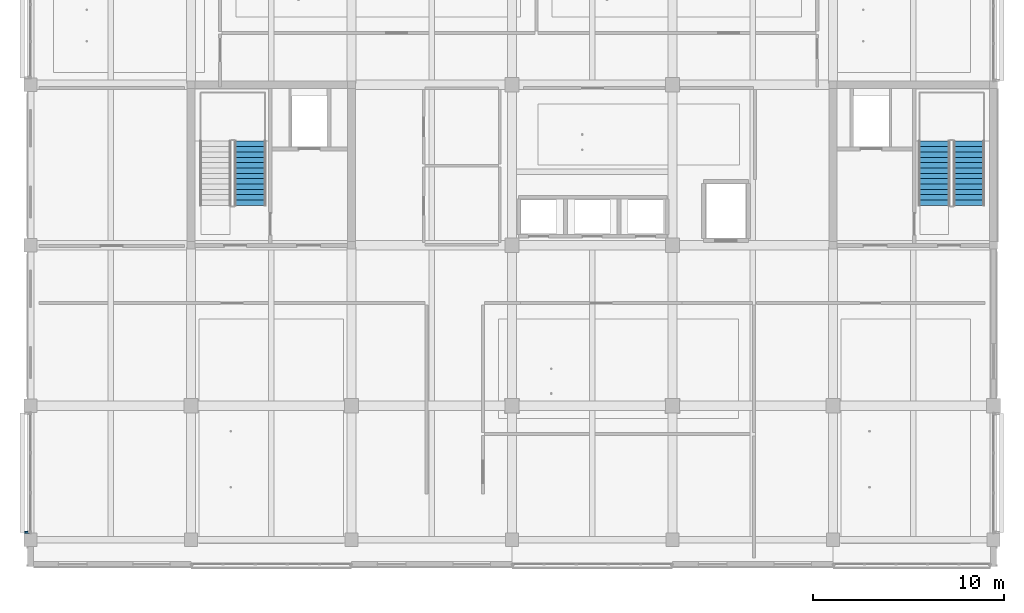
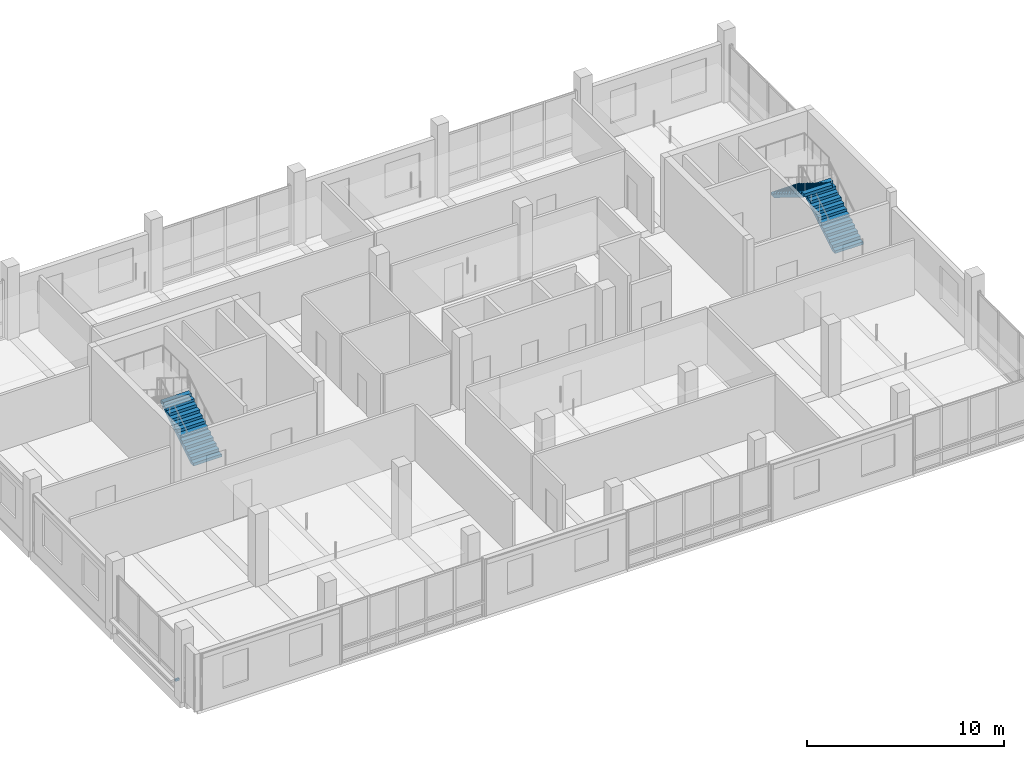
# One storey, part 14 of 35: 3 stair flights, 1 discrete accessory, 2 elements without a shape of their own.
"""IFC4 building model written with IfcOpenShell, lengths in metres."""

from ifc_helpers import new_model, si_unit, direction, frame, origin, origin_2d, place, context, subcontext, project, spatial, polyline, rectangle, outline, extrude, material, type_object, element, aggregate, save


model = new_model("IFC4")

# Units and contexts
model_context = context("Model", 3, precision=1e-05, world=origin(), true_north=direction((0.0, 1.0)))
body_context = subcontext(model_context, "Body", "Model", "MODEL_VIEW")
ifc_project = project(units=[si_unit("LENGTHUNIT", "METRE"), si_unit("AREAUNIT", "SQUARE_METRE"), si_unit("VOLUMEUNIT", "CUBIC_METRE"), si_unit("PLANEANGLEUNIT", "RADIAN"), si_unit("MASSUNIT", "GRAM", prefix="KILO")], contexts=[model_context])

# Site, building, storey
site_placement = place(None, origin())
site = spatial("IfcSite", under=ifc_project, at=site_placement, CompositionType="ELEMENT")
building_placement = place(site_placement, origin())
building = spatial("IfcBuilding", under=site, at=building_placement, Name="Telukmera Botanical Conservatory", CompositionType="ELEMENT")
storey_placement = place(building_placement, frame((0.0, 0.0, 46.5)))
storey = spatial("IfcBuildingStorey", under=building, at=storey_placement, Name="L10", CompositionType="ELEMENT", Elevation=46.5)

# Stair, stair flight
ifc_material_1 = material(Name="Concrete C40/50", Category="concrete")
stair_type = type_object("IfcStairType", Name="ST-ESC-4500", PredefinedType="HALF_TURN_STAIR", material=ifc_material_1)
stair_1_placement = place(storey_placement, origin())
stair_1 = element("IfcStair", 1, at=stair_1_placement, inside=storey, type_object=stair_type, Name="L10 Protected Escape Stair ST1", PredefinedType="HALF_TURN_STAIR")
stair_flight_type = type_object("IfcStairFlightType", Name="SF-ESC-4500", PredefinedType="STRAIGHT", material=ifc_material_1)
stair_flight_1_placement = place(storey_placement, frame((61.89990234375, 28.090087890625, 0.0), z_axis=(0.0, 0.0, 1.0), x_axis=(0.0, 1.0, 0.0)))
stair_flight_1 = element("IfcStairFlight", 2, at=stair_flight_1_placement, type_object=stair_flight_type, Name="ST1 flight 1", NumberOfRisers=13, NumberOfTreads=12, PredefinedType="STRAIGHT", RiserHeight=0.173076923, TreadLength=0.28, context=body_context, shape_type="SweptSolid", body=[
    extrude(outline(polyline([(0.0, 0.0), (0.0, 0.173095703125), (0.280029296875, 0.173095703125), (0.280029296875, 0.34619140625), (0.56005859375, 0.34619140625), (0.56005859375, 0.519287109375), (0.840087890625, 0.519287109375), (0.840087890625, 0.6923828125), (1.1201171875, 0.6923828125), (1.1201171875, 0.865478515625), (1.39990234375, 0.865478515625), (1.39990234375, 1.03857421875), (1.679931640625, 1.03857421875), (1.679931640625, 1.21142578125), (1.9599609375, 1.21142578125), (1.9599609375, 1.384521484375), (2.239990234375, 1.384521484375), (2.239990234375, 1.5576171875), (2.52001953125, 1.5576171875), (2.52001953125, 1.730712890625), (2.800048828125, 1.730712890625), (2.800048828125, 1.90380859375), (3.080078125, 1.90380859375), (3.080078125, 2.076904296875), (3.360107421875, 2.076904296875), (3.360107421875, 2.25), (3.360107421875, 1.888916015625), (0.30419921875, 0.0), (0.0, 0.0)])), frame((0.0, 0.830078125, 0.0), z_axis=(0.0, -1.0, 0.0), x_axis=(1.0, 0.0, 0.0)), (0.0, 0.0, 1.0), 1.659912109375),
])
aggregate(stair_1, [stair_flight_1])

# Stair, stair flights
stair_2_placement = place(storey_placement, origin())
stair_2 = element("IfcStair", 3, at=stair_2_placement, inside=storey, type_object=stair_type, Name="L10 Protected Escape Stair ST2", PredefinedType="HALF_TURN_STAIR")
stair_flight_2_placement = place(storey_placement, frame((99.52001953125, 28.090087890625, 0.0), z_axis=(0.0, 0.0, 1.0), x_axis=(0.0, 1.0, 0.0)))
stair_flight_2 = element("IfcStairFlight", 4, at=stair_flight_2_placement, type_object=stair_flight_type, Name="ST2 flight 1", NumberOfRisers=13, NumberOfTreads=12, PredefinedType="STRAIGHT", RiserHeight=0.173076923, TreadLength=0.28, context=body_context, shape_type="SweptSolid", body=[
    extrude(outline(polyline([(0.0, 0.0), (0.0, 0.173095703125), (0.280029296875, 0.173095703125), (0.280029296875, 0.34619140625), (0.56005859375, 0.34619140625), (0.56005859375, 0.519287109375), (0.840087890625, 0.519287109375), (0.840087890625, 0.6923828125), (1.1201171875, 0.6923828125), (1.1201171875, 0.865478515625), (1.39990234375, 0.865478515625), (1.39990234375, 1.03857421875), (1.679931640625, 1.03857421875), (1.679931640625, 1.21142578125), (1.9599609375, 1.21142578125), (1.9599609375, 1.384521484375), (2.239990234375, 1.384521484375), (2.239990234375, 1.5576171875), (2.52001953125, 1.5576171875), (2.52001953125, 1.730712890625), (2.800048828125, 1.730712890625), (2.800048828125, 1.90380859375), (3.080078125, 1.90380859375), (3.080078125, 2.076904296875), (3.360107421875, 2.076904296875), (3.360107421875, 2.25), (3.360107421875, 1.888916015625), (0.30419921875, 0.0), (0.0, 0.0)])), frame((0.0, 0.830078125, 0.0), z_axis=(0.0, -1.0, 0.0), x_axis=(1.0, 0.0, 0.0)), (0.0, 0.0, 1.0), 1.659912109375),
])
stair_flight_3_placement = place(storey_placement, frame((97.699951171875, 31.449951171875, 2.25), z_axis=(0.0, 0.0, 1.0), x_axis=(0.0, -1.0, 0.0)))
stair_flight_3 = element("IfcStairFlight", 5, at=stair_flight_3_placement, type_object=stair_flight_type, Name="ST2 flight 2", NumberOfRisers=13, NumberOfTreads=12, PredefinedType="STRAIGHT", RiserHeight=0.173076923, TreadLength=0.28, context=body_context, shape_type="SweptSolid", body=[
    extrude(outline(polyline([(0.0, 0.0), (0.0, 0.173095703125), (0.280029296875, 0.173095703125), (0.280029296875, 0.34619140625), (0.56005859375, 0.34619140625), (0.56005859375, 0.519287109375), (0.840087890625, 0.519287109375), (0.840087890625, 0.6923828125), (1.1201171875, 0.6923828125), (1.1201171875, 0.865478515625), (1.39990234375, 0.865478515625), (1.39990234375, 1.03857421875), (1.679931640625, 1.03857421875), (1.679931640625, 1.21142578125), (1.9599609375, 1.21142578125), (1.9599609375, 1.384521484375), (2.239990234375, 1.384521484375), (2.239990234375, 1.5576171875), (2.52001953125, 1.5576171875), (2.52001953125, 1.730712890625), (2.800048828125, 1.730712890625), (2.800048828125, 1.90380859375), (3.080078125, 1.90380859375), (3.080078125, 2.076904296875), (3.360107421875, 2.076904296875), (3.360107421875, 2.25), (3.360107421875, 1.888916015625), (0.30419921875, 0.0), (0.0, 0.0)])), frame((0.0, 0.830078125, 0.0), z_axis=(0.0, -1.0, 0.0), x_axis=(1.0, 0.0, 0.0)), (0.0, 0.0, 1.0), 1.659912109375),
])
aggregate(stair_2, [stair_flight_2, stair_flight_3])

# Discrete accessory
ifc_material_2 = material(Name="Steel S355", Category="steel")
discrete_accessory_type = type_object("IfcDiscreteAccessoryType", Name="Structural Steel Facade Outrigger Fin Bracket", PredefinedType="BRACKET", material=ifc_material_2)
discrete_accessory_placement = place(storey_placement, frame((50.2099609375, 10.98193359375, 0.8798828125), z_axis=(0.0, 0.0, 1.0), x_axis=(0.0, 1.0, 0.0)))
element("IfcDiscreteAccessory", 6, at=discrete_accessory_placement, inside=storey, type_object=discrete_accessory_type, Name="Facade Outrigger Bracket V4:L10:W1 A", PredefinedType="BRACKET", context=body_context, shape_type="SweptSolid", body=[
    extrude(rectangle(XDim=0.10009765625, YDim=0.239990234375, at=origin_2d()), origin(), (0.0, 0.0, 1.0), 0.139892578125),
])

save(model, "model.ifc")
